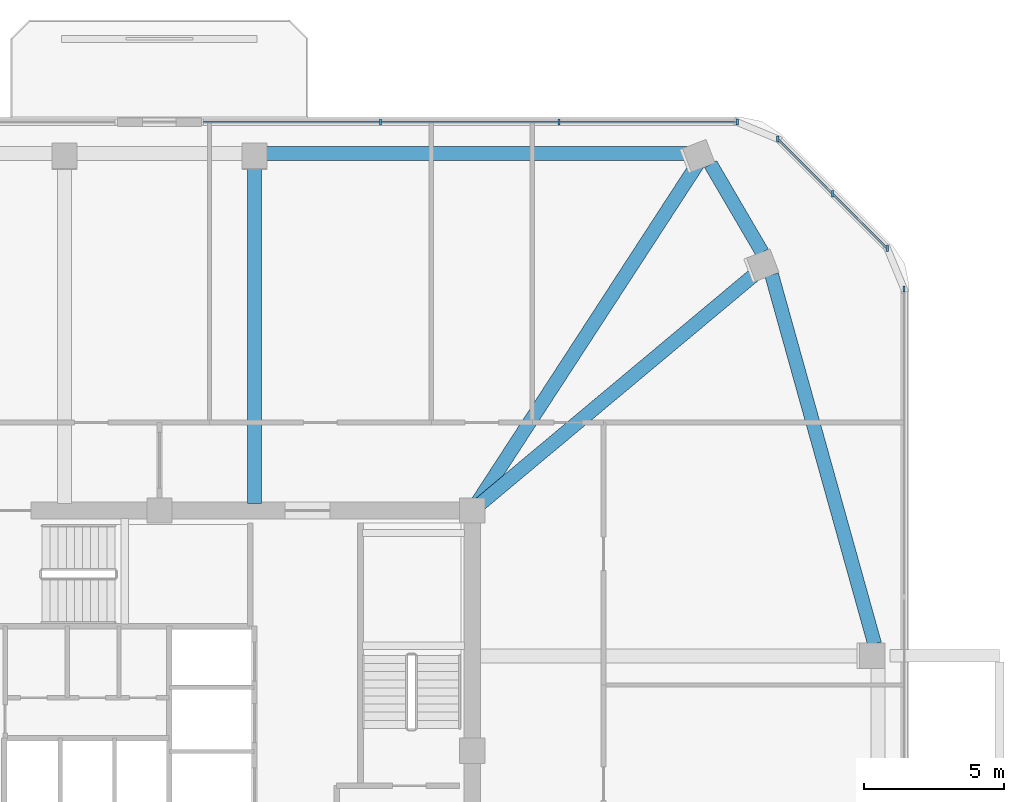
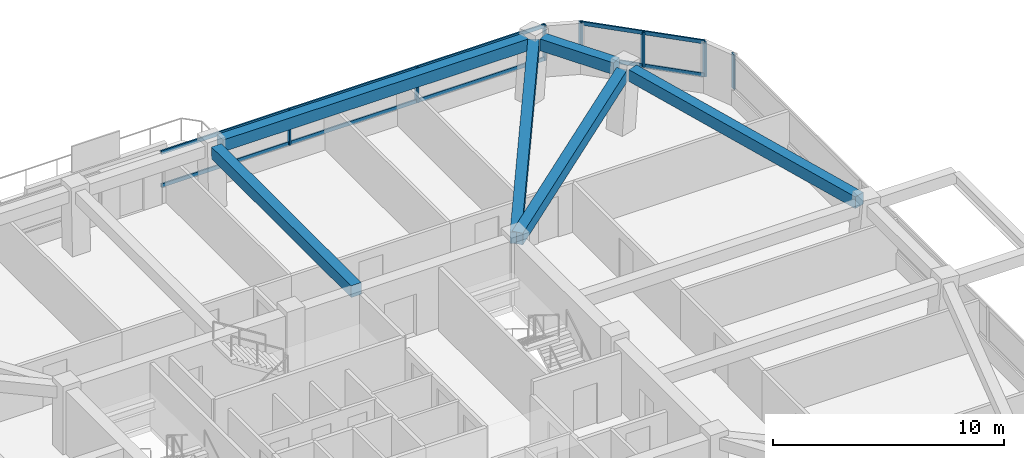
# One storey, part 6 of 13: 11 members, 6 beams, 3 elements without a shape of their own.
"""IFC4 building model written with IfcOpenShell, lengths in metres."""

import ifcopenshell
import ifcopenshell.guid

model = None  # the IFC model being written
_history = None  # IfcOwnerHistory: only IFC2X3 demands one
_inside = {}  # id of a spatial element -> (the spatial element, [elements in it])
_under = {}  # id of a project, library or spatial element -> (it, [spatial elements below it])
_declared = {}  # id of a project -> (the project, [libraries it declares])
_typed = {}  # id of a type object -> (the type object, [elements of that type])
_made_of = {}  # id of a material, layer set ... -> (it, [elements and type objects made of it])


def new_model(schema):
    """Start an empty IFC model of exactly this schema.

    Asked for "IFC4X3", IfcOpenShell would pick the latest addendum, in which some entities
    have other attributes; the version numbers below select the first issue.
    IFC2X3 requires an IfcOwnerHistory on every rooted entity: one is made here for all.
    """
    global model, _history
    if schema == "IFC4X3":
        model = ifcopenshell.file(schema_version=(4, 3, 0, 0))
    else:
        model = ifcopenshell.file(schema=schema)
    _inside.clear()
    _under.clear()
    _declared.clear()
    _typed.clear()
    _made_of.clear()
    _history = None
    if model.schema == "IFC2X3":
        org = make("IfcOrganization", Name="unknown")
        user = make(
            "IfcPersonAndOrganization",
            ThePerson=make("IfcPerson", FamilyName="unknown"),
            TheOrganization=org,
        )
        app = make(
            "IfcApplication",
            ApplicationDeveloper=org,
            Version="unknown",
            ApplicationFullName="unknown",
            ApplicationIdentifier="unknown",
        )
        _history = make(
            "IfcOwnerHistory",
            OwningUser=user,
            OwningApplication=app,
            ChangeAction="ADDED",
            CreationDate=0,
        )
    return model


def make(cls, **values):
    """One entity of the class cls with the attributes given. An attribute that is None is left unset."""
    return model.create_entity(
        cls, **{name: value for name, value in values.items() if value is not None}
    )


def rooted(cls, **values):
    """An entity with a GlobalId (a new one), such as an element, a storey or a relation."""
    return make(cls, GlobalId=ifcopenshell.guid.new(), OwnerHistory=_history, **values)


def si_unit(unit_type, name, prefix=None):
    """IfcSIUnit, for example si_unit("LENGTHUNIT", "METRE", prefix="MILLI")."""
    return make("IfcSIUnit", UnitType=unit_type, Prefix=prefix, Name=name)


def derived_unit(unit_type, elements):
    """IfcDerivedUnit: a product of units, each with its exponent."""
    return make(
        "IfcDerivedUnit",
        Elements=[
            make("IfcDerivedUnitElement", Unit=unit, Exponent=power)
            for unit, power in elements
        ],
        UnitType=unit_type,
    )


def assignment(units):
    """IfcUnitAssignment: the units of a project."""
    return None if units is None else make("IfcUnitAssignment", Units=units)


def point(xyz):
    """IfcCartesianPoint."""
    return None if xyz is None else make("IfcCartesianPoint", Coordinates=xyz)


def direction(xyz):
    """IfcDirection."""
    return None if xyz is None else make("IfcDirection", DirectionRatios=xyz)


def frame(location, z_axis=None, x_axis=None):
    """IfcAxis2Placement3D, a coordinate frame: its origin and axes. An axis left out is left unset."""
    return make(
        "IfcAxis2Placement3D",
        Location=point(location),
        Axis=direction(z_axis),
        RefDirection=direction(x_axis),
    )


def frame_2d(location, x_axis=None):
    """IfcAxis2Placement2D, a coordinate frame in the plane: its origin and x axis."""
    return make(
        "IfcAxis2Placement2D", Location=point(location), RefDirection=direction(x_axis)
    )


def origin():
    """The frame at (0, 0, 0) with its axes left unset."""
    return frame((0.0, 0.0, 0.0))


def origin_2d():
    """The frame at (0, 0) in the plane with its x axis left unset."""
    return frame_2d((0.0, 0.0))


def place(relative_to, where):
    """IfcLocalPlacement: puts the frame where relative to a parent placement (None: the world)."""
    return make(
        "IfcLocalPlacement", PlacementRelTo=relative_to, RelativePlacement=where
    )


def context(
    kind, dimensions, precision=None, world=None, true_north=None, identifier=None
):
    """IfcGeometricRepresentationContext, for example the 3D "Model" context."""
    return make(
        "IfcGeometricRepresentationContext",
        ContextIdentifier=identifier,
        ContextType=kind,
        CoordinateSpaceDimension=dimensions,
        Precision=precision,
        WorldCoordinateSystem=world,
        TrueNorth=true_north,
    )


def subcontext(parent, identifier, kind, view, scale=None):
    """IfcGeometricRepresentationSubContext, for example "Body" below "Model"."""
    return make(
        "IfcGeometricRepresentationSubContext",
        ContextIdentifier=identifier,
        ContextType=kind,
        ParentContext=parent,
        TargetScale=scale,
        TargetView=view,
    )


def project(units=None, contexts=None):
    """IfcProject with its units and contexts."""
    return rooted(
        "IfcProject",
        Name="project",
        RepresentationContexts=contexts,
        UnitsInContext=assignment(units),
    )


def spatial(cls, under=None, at=None, **own):
    """A site, building, storey or space (cls), placed at a placement, below another one or the project."""
    s = rooted(cls, ObjectPlacement=at, **own)
    if under is not None:
        _under.setdefault(under.id(), (under, []))[1].append(s)
    return s


def profile(cls, at=None, kind="AREA", **sizes):
    """A parametric profile (cls). Its sizes go by their IFC names, for example OverallWidth=200.0."""
    return make(cls, ProfileType=kind, Position=at, **sizes)


def rectangle(**sizes):
    """IfcRectangleProfileDef."""
    return profile("IfcRectangleProfileDef", **sizes)


def extrude(swept, where, along, depth):
    """IfcExtrudedAreaSolid: the profile swept, set in the frame where, extruded along a direction by depth."""
    return make(
        "IfcExtrudedAreaSolid",
        SweptArea=swept,
        Position=where,
        ExtrudedDirection=direction(along),
        Depth=depth,
    )


def shape(context_of_items, identifier, shape_type, items):
    """IfcShapeRepresentation: the items that make up one representation, for example the "Body"."""
    return make(
        "IfcShapeRepresentation",
        ContextOfItems=context_of_items,
        RepresentationIdentifier=identifier,
        RepresentationType=shape_type,
        Items=items,
    )


def material(Name=None, Category=None):
    """IfcMaterial."""
    return make("IfcMaterial", Name=Name, Category=Category)


def material_profile(
    of_material, cross_section, Name=None, Category=None, Priority=None
):
    """IfcMaterialProfile: a cross section and its material."""
    return make(
        "IfcMaterialProfile",
        Name=Name,
        Material=of_material,
        Profile=cross_section,
        Priority=Priority,
        Category=Category,
    )


def profile_set(profiles, Name=None, composite=None):
    """IfcMaterialProfileSet."""
    return make(
        "IfcMaterialProfileSet",
        Name=Name,
        MaterialProfiles=profiles,
        CompositeProfile=composite,
    )


def made_of(thing, what):
    """Note that an element or type object is made of a material, layer set ...; save() writes the relation."""
    if what is not None:
        _made_of.setdefault(what.id(), (what, []))[1].append(thing)
    return thing


def type_object(cls, material=None, **own):
    """A type object (cls), such as IfcWallType, which elements share."""
    return made_of(rooted(cls, **own), material)


def element(
    cls,
    number,
    at=None,
    inside=None,
    cuts=None,
    type_object=None,
    material=None,
    context=None,
    identifier="Body",
    shape_type=None,
    held_by="IfcProductDefinitionShape",
    body=None,
    shapes=None,
    **own,
):
    """One element of the class cls, such as IfcWall. Its Tag is "e" and its number.

    at: its placement. inside: the storey or other place that contains it. cuts: it is an
    opening in that element (IfcRelVoidsElement). A single representation is given by context,
    identifier, shape_type and body (its items); several are given by shapes. held_by: the class
    of the entity that holds the representations. save() writes the other relations.
    """
    e = rooted(cls, Tag="e%d" % number, ObjectPlacement=at, **own)
    if body is not None:
        shapes = [shape(context, identifier, shape_type, body)]
    if shapes is not None:
        e.Representation = make(held_by, Representations=shapes)
    if inside is not None:
        _inside.setdefault(inside.id(), (inside, []))[1].append(e)
    if cuts is not None:
        rooted(
            "IfcRelVoidsElement", RelatingBuildingElement=cuts, RelatedOpeningElement=e
        )
    if type_object is not None:
        _typed.setdefault(type_object.id(), (type_object, []))[1].append(e)
    return made_of(e, material)


def aggregate(whole, parts):
    """IfcRelAggregates: a whole, such as a stair, and the parts it consists of."""
    return rooted("IfcRelAggregates", RelatingObject=whole, RelatedObjects=parts)


def save(model, path):
    """Write the relations noted so far, then the file.

    IfcRelAggregates (storeys below a building ...), IfcRelContainedInSpatialStructure (elements
    in a storey), IfcRelDefinesByType, IfcRelAssociatesMaterial and IfcRelDeclares: one each for
    every whole, place, type object, material and project.
    """
    for whole, parts in _under.values():
        aggregate(whole, parts)
    for where, things in _inside.values():
        rooted(
            "IfcRelContainedInSpatialStructure",
            RelatedElements=things,
            RelatingStructure=where,
        )
    for kind, things in _typed.values():
        rooted("IfcRelDefinesByType", RelatedObjects=things, RelatingType=kind)
    for what, things in _made_of.values():
        rooted("IfcRelAssociatesMaterial", RelatedObjects=things, RelatingMaterial=what)
    for by, libraries in _declared.values():
        rooted("IfcRelDeclares", RelatingContext=by, RelatedDefinitions=libraries)
    model.write(path)


model = new_model("IFC4")

# Units and contexts
model_context = context("Model", 3, precision=1e-05, world=origin(), true_north=direction((0.0, 1.0)))
body_context = subcontext(model_context, "Body", "Model", "MODEL_VIEW")
ifc_project = project(units=[si_unit("LENGTHUNIT", "METRE"), si_unit("AREAUNIT", "SQUARE_METRE"), si_unit("VOLUMEUNIT", "CUBIC_METRE"), si_unit("PLANEANGLEUNIT", "RADIAN"), si_unit("MASSUNIT", "GRAM", prefix="KILO"), derived_unit("THERMALTRANSMITTANCEUNIT", [(si_unit("POWERUNIT", "WATT"), 1), (si_unit("LENGTHUNIT", "METRE"), -2), (si_unit("THERMODYNAMICTEMPERATUREUNIT", "KELVIN"), -1)])], contexts=[model_context])

# Site, building, storey
site_placement = place(None, origin())
site = spatial("IfcSite", under=ifc_project, at=site_placement, CompositionType="ELEMENT")
building_placement = place(site_placement, origin())
building = spatial("IfcBuilding", under=site, at=building_placement, Name="Koralith Skygarden Medical Center", CompositionType="ELEMENT")
storey_placement = place(building_placement, frame((0.0, 0.0, 217.97998046875)))
storey = spatial("IfcBuildingStorey", under=building, at=storey_placement, Name="L56", CompositionType="ELEMENT", Elevation=217.97998046875)

# Curtain wall, member
ifc_material_1 = material(Name="Clear Laminated Glass", Category="glass")
curtain_wall_type = type_object("IfcCurtainWallType", Name="CW-5 Zone 4 Flare Biophilic Curtain Wall", PredefinedType="NOTDEFINED", material=ifc_material_1)
curtain_wall_1_placement = place(storey_placement, origin())
curtain_wall_1 = element("IfcCurtainWall", 1, at=curtain_wall_1_placement, inside=storey, type_object=curtain_wall_type, Name="Curtain Wall CW-L56-E", PredefinedType="NOTDEFINED")
ifc_material_2 = material(Name="Aluminium 6063-T6", Category="aluminium")
ifc_material_profile_1 = material_profile(ifc_material_2, rectangle(XDim=0.080078125, YDim=0.219970703125, at=origin_2d()), Name="MUL80X220")
ifc_profile_set_1 = profile_set([ifc_material_profile_1], Name="Aluminium 6063-T6")
member_type_1 = type_object("IfcMemberType", Name="CW-5 Extruded Mullion 80x220", PredefinedType="MULLION", material=ifc_profile_set_1)
member_1_placement = place(storey_placement, frame((63.659912109375, 42.428955078125, 0.85009765625), z_axis=(0.0, 0.0, 1.0), x_axis=(1.0, 0.0, 0.0)))
member_1 = element("IfcMember", 2, at=member_1_placement, type_object=member_type_1, Name="CW-L56-E Mullion 4", PredefinedType="MULLION", context=body_context, shape_type="SweptSolid", body=[
    extrude(rectangle(XDim=0.080078125, YDim=0.219970703125, at=origin_2d()), origin(), (0.0, 0.0, 1.0), 1.83984375),
])
aggregate(curtain_wall_1, [member_1])

# Curtain wall, members
curtain_wall_2_placement = place(storey_placement, origin())
curtain_wall_2 = element("IfcCurtainWall", 3, at=curtain_wall_2_placement, inside=storey, type_object=curtain_wall_type, Name="Curtain Wall CW-L56-NE", PredefinedType="NOTDEFINED")
member_2_placement = place(storey_placement, frame((63.05810546875, 43.8798828125, 0.85009765625), z_axis=(0.0, 0.0, 1.0), x_axis=(1.0, 0.0, 0.0)))
member_2 = element("IfcMember", 4, at=member_2_placement, type_object=member_type_1, Name="CW-L56-NE Mullion 1", PredefinedType="MULLION", context=body_context, shape_type="SweptSolid", body=[
    extrude(rectangle(XDim=0.080078125, YDim=0.219970703125, at=origin_2d()), origin(), (0.0, 0.0, 1.0), 1.83984375),
])
member_3_placement = place(storey_placement, frame((61.095947265625, 45.841064453125, 0.85009765625), z_axis=(0.0, 0.0, 1.0), x_axis=(1.0, 0.0, 0.0)))
member_3 = element("IfcMember", 5, at=member_3_placement, type_object=member_type_1, Name="CW-L56-NE Mullion 2", PredefinedType="MULLION", context=body_context, shape_type="SweptSolid", body=[
    extrude(rectangle(XDim=0.080078125, YDim=0.219970703125, at=origin_2d()), origin(), (0.0, 0.0, 1.0), 1.83984375),
])
member_4_placement = place(storey_placement, frame((59.135009765625, 47.802978515625, 0.85009765625), z_axis=(0.0, 0.0, 1.0), x_axis=(1.0, 0.0, 0.0)))
member_4 = element("IfcMember", 6, at=member_4_placement, type_object=member_type_1, Name="CW-L56-NE Mullion 3", PredefinedType="MULLION", context=body_context, shape_type="SweptSolid", body=[
    extrude(rectangle(XDim=0.080078125, YDim=0.219970703125, at=origin_2d()), origin(), (0.0, 0.0, 1.0), 1.83984375),
])

curtain_wall_3_placement = place(storey_placement, origin())
curtain_wall_3 = element("IfcCurtainWall", 7, at=curtain_wall_3_placement, inside=storey, type_object=curtain_wall_type, Name="Curtain Wall CW-L56-N-L", PredefinedType="NOTDEFINED")
member_5_placement = place(storey_placement, frame((57.68408203125, 48.404052734375, 0.85009765625), z_axis=(0.0, 0.0, 1.0), x_axis=(1.0, 0.0, 0.0)))
member_5 = element("IfcMember", 8, at=member_5_placement, type_object=member_type_1, Name="CW-L56-N-L Mullion 1", PredefinedType="MULLION", context=body_context, shape_type="SweptSolid", body=[
    extrude(rectangle(XDim=0.080078125, YDim=0.219970703125, at=origin_2d()), origin(), (0.0, 0.0, 1.0), 1.83984375),
])
member_6_placement = place(storey_placement, frame((51.302978515625, 48.404052734375, 0.85009765625), z_axis=(0.0, 0.0, 1.0), x_axis=(1.0, 0.0, 0.0)))
member_6 = element("IfcMember", 9, at=member_6_placement, type_object=member_type_1, Name="CW-L56-N-L Mullion 2", PredefinedType="MULLION", context=body_context, shape_type="SweptSolid", body=[
    extrude(rectangle(XDim=0.080078125, YDim=0.219970703125, at=origin_2d()), origin(), (0.0, 0.0, 1.0), 1.83984375),
])
member_7_placement = place(storey_placement, frame((44.9208984375, 48.404052734375, 0.85009765625), z_axis=(0.0, 0.0, 1.0), x_axis=(1.0, 0.0, 0.0)))
member_7 = element("IfcMember", 10, at=member_7_placement, type_object=member_type_1, Name="CW-L56-N-L Mullion 3", PredefinedType="MULLION", context=body_context, shape_type="SweptSolid", body=[
    extrude(rectangle(XDim=0.080078125, YDim=0.219970703125, at=origin_2d()), origin(), (0.0, 0.0, 1.0), 1.83984375),
])

# Member
ifc_material_profile_2 = material_profile(ifc_material_2, rectangle(XDim=0.074951171875, YDim=0.197998046875, at=origin_2d()), Name="TRN75X198")
ifc_profile_set_2 = profile_set([ifc_material_profile_2], Name="Aluminium 6063-T6")
member_type_2 = type_object("IfcMemberType", Name="CW-5 Thermal Transom 75x198", PredefinedType="USERDEFINED", material=ifc_profile_set_2)
member_8_placement = place(storey_placement, frame((63.05810546875, 43.8798828125, 0.89990234375), z_axis=(-0.707106781187, 0.707106781187, 0.0), x_axis=(-0.707106781187, -0.707106781187, 0.0)))
member_8 = element("IfcMember", 11, at=member_8_placement, type_object=member_type_2, Name="CW-L56-NE Transom 1", ObjectType="TRANSOM", PredefinedType="USERDEFINED", context=body_context, shape_type="SweptSolid", body=[
    extrude(rectangle(XDim=0.074951171875, YDim=0.197998046875, at=origin_2d()), origin(), (0.0, 0.0, 1.0), 5.548095703125),
])

member_9_placement = place(storey_placement, frame((63.05810546875, 43.8798828125, 2.64013671875), z_axis=(-0.707106781187, 0.707106781187, 0.0), x_axis=(-0.707106781187, -0.707106781187, 0.0)))
member_9 = element("IfcMember", 12, at=member_9_placement, type_object=member_type_2, Name="CW-L56-NE Transom 2", ObjectType="TRANSOM", PredefinedType="USERDEFINED", context=body_context, shape_type="SweptSolid", body=[
    extrude(rectangle(XDim=0.074951171875, YDim=0.197998046875, at=origin_2d()), origin(), (0.0, 0.0, 1.0), 5.548095703125),
])

aggregate(curtain_wall_2, [member_2, member_3, member_4, member_8, member_9])

member_10_placement = place(storey_placement, frame((57.68408203125, 48.404052734375, 0.89990234375), z_axis=(-1.0, 0.0, 0.0), x_axis=(0.0, -1.0, 0.0)))
member_10 = element("IfcMember", 13, at=member_10_placement, type_object=member_type_2, Name="CW-L56-N-L Transom 1", ObjectType="TRANSOM", PredefinedType="USERDEFINED", context=body_context, shape_type="SweptSolid", body=[
    extrude(rectangle(XDim=0.074951171875, YDim=0.197998046875, at=origin_2d()), origin(), (0.0, 0.0, 1.0), 19.14404296875),
])

member_11_placement = place(storey_placement, frame((57.68408203125, 48.404052734375, 2.64013671875), z_axis=(-1.0, 0.0, 0.0), x_axis=(0.0, -1.0, 0.0)))
member_11 = element("IfcMember", 14, at=member_11_placement, type_object=member_type_2, Name="CW-L56-N-L Transom 2", ObjectType="TRANSOM", PredefinedType="USERDEFINED", context=body_context, shape_type="SweptSolid", body=[
    extrude(rectangle(XDim=0.074951171875, YDim=0.197998046875, at=origin_2d()), origin(), (0.0, 0.0, 1.0), 19.14404296875),
])

aggregate(curtain_wall_3, [member_5, member_6, member_7, member_10, member_11])

# Beams
ifc_material_3 = material(Name="Concrete C45/55", Category="concrete")
ifc_material_profile_3 = material_profile(ifc_material_3, rectangle(XDim=0.5, YDim=0.6201171875, at=origin_2d()), Name="RCB500X620")
ifc_profile_set_3 = profile_set([ifc_material_profile_3], Name="Concrete C45/55")
beam_type_1 = type_object("IfcBeamType", Name="Upper Radial Collector Beam RCB500X620", PredefinedType="BEAM", material=ifc_profile_set_3)
beam_1_placement = place(storey_placement, frame((48.39208984375, 34.659912109375, 3.010009765625), z_axis=(0.767298159165, 0.64129052304, 0.0), x_axis=(-0.64129052304, 0.767298159165, 0.0)))
element("IfcBeam", 15, at=beam_1_placement, inside=storey, type_object=beam_type_1, Name="L56 Radial Collector Beam RB-10", PredefinedType="BEAM", context=body_context, shape_type="SweptSolid", body=[
    extrude(rectangle(XDim=0.5, YDim=0.6201171875, at=origin_2d()), origin(), (0.0, 0.0, 1.0), 13.126708984375),
])
beam_2_placement = place(storey_placement, frame((48.3359375, 34.7099609375, 3.010009765625), z_axis=(0.545156385215, 0.838334369842, 0.0), x_axis=(-0.838334369842, 0.545156385215, 0.0)))
element("IfcBeam", 16, at=beam_2_placement, inside=storey, type_object=beam_type_1, Name="L56 Radial Collector Beam RB-11", PredefinedType="BEAM", context=body_context, shape_type="SweptSolid", body=[
    extrude(rectangle(XDim=0.5, YDim=0.6201171875, at=origin_2d()), origin(), (0.0, 0.0, 1.0), 14.5537109375),
])
beam_3_placement = place(storey_placement, frame((40.39990234375, 34.75, 3.010009765625), z_axis=(0.0, 1.0, 0.0), x_axis=(-1.0, 0.0, 0.0)))
element("IfcBeam", 17, at=beam_3_placement, inside=storey, type_object=beam_type_1, Name="L56 Radial Collector Beam RB-12", PredefinedType="BEAM", context=body_context, shape_type="SweptSolid", body=[
    extrude(rectangle(XDim=0.5, YDim=0.6201171875, at=origin_2d()), origin(), (0.0, 0.0, 1.0), 12.090087890625),
])
ifc_material_profile_4 = material_profile(ifc_material_3, rectangle(XDim=0.5, YDim=0.6201171875, at=origin_2d()), Name="RCB500X620")
ifc_profile_set_4 = profile_set([ifc_material_profile_4], Name="Concrete C45/55")
beam_type_2 = type_object("IfcBeamType", Name="Zone 4-5 Spandrel Beam RCB500X620", PredefinedType="SPANDREL", material=ifc_profile_set_4)
beam_4_placement = place(storey_placement, frame((62.60400390625, 29.72412109375, 3.010009765625), z_axis=(-0.26859849356, 0.96325222515, 0.0), x_axis=(-0.96325222515, -0.26859849356, 0.0)))
element("IfcBeam", 18, at=beam_4_placement, inside=storey, type_object=beam_type_2, Name="L56 Perimeter Spandrel Beam SP-09", PredefinedType="SPANDREL", context=body_context, shape_type="SweptSolid", body=[
    extrude(rectangle(XDim=0.5, YDim=0.6201171875, at=origin_2d()), origin(), (0.0, 0.0, 1.0), 13.716064453125),
])
beam_5_placement = place(storey_placement, frame((58.580078125, 43.739990234375, 3.010009765625), z_axis=(-0.504861750403, 0.863200216045, 0.0), x_axis=(-0.863200216045, -0.504861750403, 0.0)))
element("IfcBeam", 19, at=beam_5_placement, inside=storey, type_object=beam_type_2, Name="L56 Perimeter Spandrel Beam SP-10", PredefinedType="SPANDREL", context=body_context, shape_type="SweptSolid", body=[
    extrude(rectangle(XDim=0.5, YDim=0.6201171875, at=origin_2d()), origin(), (0.0, 0.0, 1.0), 3.66064453125),
])
beam_6_placement = place(storey_placement, frame((56.070068359375, 47.280029296875, 3.010009765625), z_axis=(-1.0, 0.0, 0.0), x_axis=(0.0, -1.0, 0.0)))
element("IfcBeam", 20, at=beam_6_placement, inside=storey, type_object=beam_type_2, Name="L56 Perimeter Spandrel Beam SP-11", PredefinedType="SPANDREL", context=body_context, shape_type="SweptSolid", body=[
    extrude(rectangle(XDim=0.5, YDim=0.6201171875, at=origin_2d()), origin(), (0.0, 0.0, 1.0), 15.22998046875),
])

save(model, "model.ifc")
